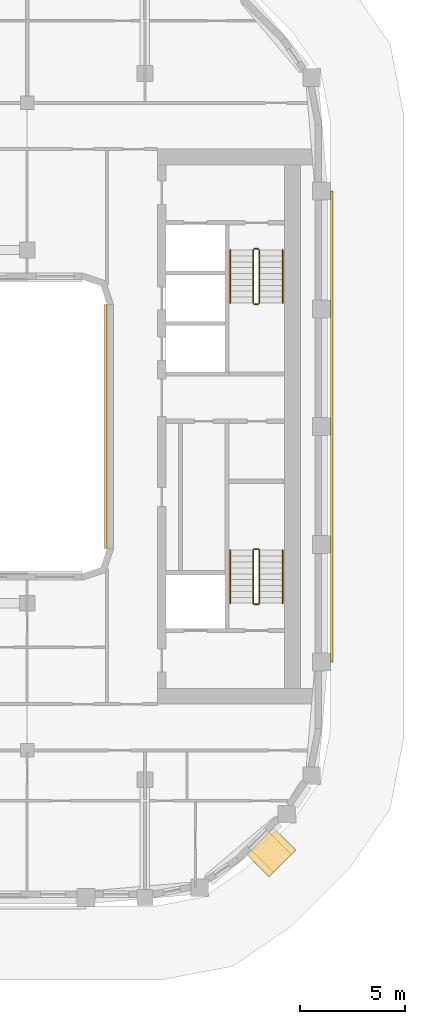
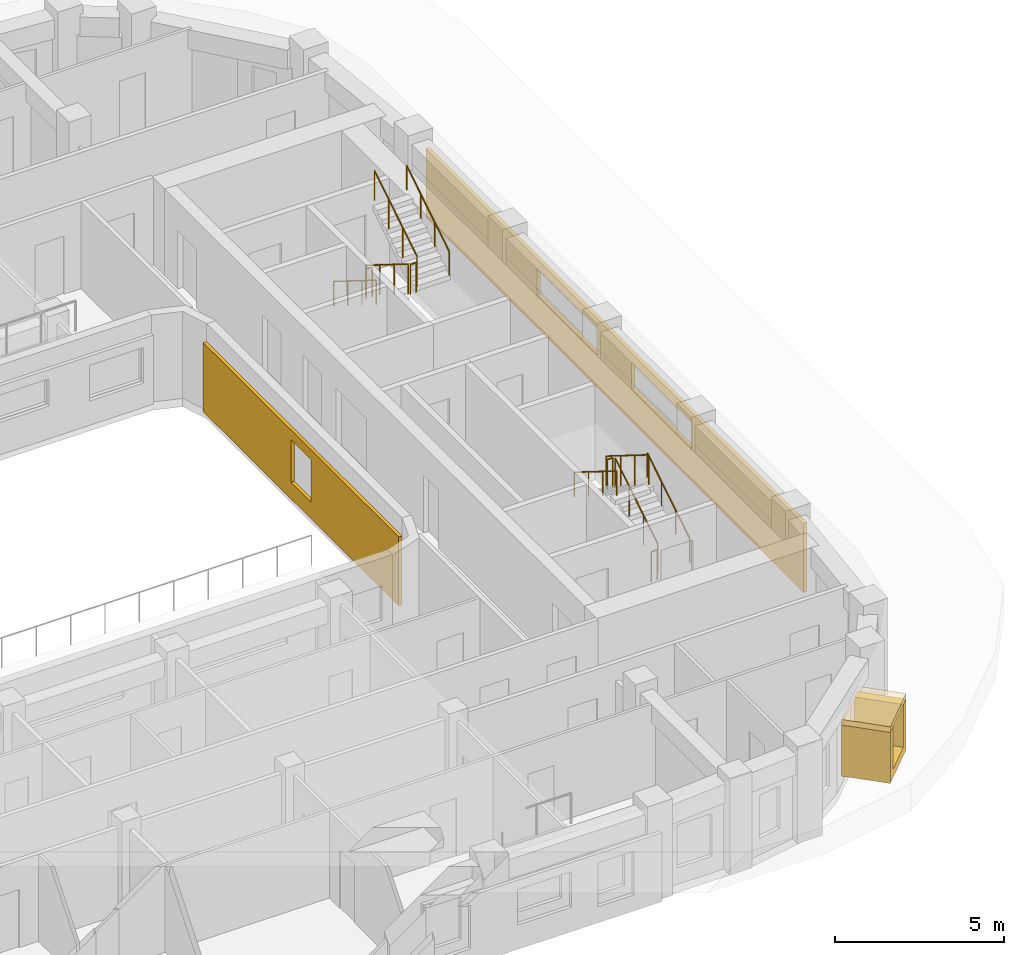
# One storey, part 14 of 16: 12 railings, 4 coverings.
"""IFC4 building model written with IfcOpenShell, lengths in metres."""

from ifc_helpers import new_model, si_unit, direction, frame, origin, origin_2d, place, context, subcontext, project, spatial, polyline, rectangle, circle, outline, extrude, material, layer, layer_set, type_object, element, save


model = new_model("IFC4")

# Units and contexts
model_context = context("Model", 3, precision=1e-05, world=origin(), true_north=direction((0.0, 1.0)))
body_context = subcontext(model_context, "Body", "Model", "MODEL_VIEW")
ifc_project = project(units=[si_unit("LENGTHUNIT", "METRE"), si_unit("AREAUNIT", "SQUARE_METRE"), si_unit("VOLUMEUNIT", "CUBIC_METRE"), si_unit("PLANEANGLEUNIT", "RADIAN"), si_unit("MASSUNIT", "GRAM", prefix="KILO")], contexts=[model_context])

# Site, building, storey
site_placement = place(None, origin())
site = spatial("IfcSite", under=ifc_project, at=site_placement, CompositionType="ELEMENT")
building_placement = place(site_placement, origin())
building = spatial("IfcBuilding", under=site, at=building_placement, Name="Kiln Ring Residences", CompositionType="ELEMENT")
storey_placement = place(building_placement, frame((0.0, 0.0, 227.39990234375)))
storey = spatial("IfcBuildingStorey", under=building, at=storey_placement, Name="L59", CompositionType="ELEMENT", Elevation=227.39990234375)

# Railings
ifc_material_1 = material(Name="Stainless steel", Category="steel")
railing_type_1 = type_object("IfcRailingType", Name="CORE-STAIR-GUARD", PredefinedType="GUARDRAIL", material=ifc_material_1)
railing_1_placement = place(storey_placement, frame((21.949951171875, 8.39990234375, 0.175048828125)))
element("IfcRailing", 1, at=railing_1_placement, inside=storey, type_object=railing_type_1, Name="L59 E-STN stair guard 1", PredefinedType="GUARDRAIL", context=body_context, shape_type="SweptSolid", body=[
    extrude(circle(Radius=0.02392578125, at=origin_2d()), frame((0.0, 0.0, 1.076171875), z_axis=(0.0, -0.848007534815, 0.529984170421), x_axis=(1.0, 0.0, 0.0)), (0.0, 0.0, 1.0), 2.9716796875),
    extrude(circle(Radius=0.02099609375, at=origin_2d()), origin(), (0.0, 0.0, 1.0), 1.052001953125),
    extrude(circle(Radius=0.02099609375, at=origin_2d()), frame((0.0, -0.840087890625, 0.52490234375)), (0.0, 0.0, 1.0), 1.052001953125),
    extrude(circle(Radius=0.02099609375, at=origin_2d()), frame((0.0, -1.679931640625, 1.050048828125)), (0.0, 0.0, 1.0), 1.052001953125),
    extrude(circle(Radius=0.02099609375, at=origin_2d()), frame((0.0, -2.52001953125, 1.574951171875)), (0.0, 0.0, 1.0), 1.052001953125),
])
railing_2_placement = place(storey_placement, frame((22.0, 5.830078125, 1.75)))
element("IfcRailing", 2, at=railing_2_placement, inside=storey, type_object=railing_type_1, Name="L59 E-STN stair guard 2", PredefinedType="GUARDRAIL", context=body_context, shape_type="SweptSolid", body=[
    extrude(circle(Radius=0.02392578125, at=origin_2d()), frame((0.0, 0.0, 1.076171875), z_axis=(1.0, 0.0, 0.0), x_axis=(0.0, 1.0, 0.0)), (0.0, 0.0, 1.0), 0.199951171875),
    extrude(circle(Radius=0.02099609375, at=origin_2d()), origin(), (0.0, 0.0, 1.0), 1.052001953125),
    extrude(circle(Radius=0.02099609375, at=origin_2d()), frame((0.199951171875, 0.0, 0.0)), (0.0, 0.0, 1.0), 1.052001953125),
])
railing_3_placement = place(storey_placement, frame((22.25, 5.8798828125, 1.925048828125)))
element("IfcRailing", 3, at=railing_3_placement, inside=storey, type_object=railing_type_1, Name="L59 E-STN stair guard 3", PredefinedType="GUARDRAIL", context=body_context, shape_type="SweptSolid", body=[
    extrude(circle(Radius=0.02392578125, at=origin_2d()), frame((0.0, 0.0, 1.076171875), z_axis=(0.0, 0.848007534815, 0.529984170421), x_axis=(-1.0, 0.0, 0.0)), (0.0, 0.0, 1.0), 2.9716796875),
    extrude(circle(Radius=0.02099609375, at=origin_2d()), origin(), (0.0, 0.0, 1.0), 1.052001953125),
    extrude(circle(Radius=0.02099609375, at=origin_2d()), frame((0.0, 0.840087890625, 0.52490234375)), (0.0, 0.0, 1.0), 1.052001953125),
    extrude(circle(Radius=0.02099609375, at=origin_2d()), frame((0.0, 1.679931640625, 1.050048828125)), (0.0, 0.0, 1.0), 1.052001953125),
    extrude(circle(Radius=0.02099609375, at=origin_2d()), frame((0.0, 2.52001953125, 1.574951171875)), (0.0, 0.0, 1.0), 1.052001953125),
])
railing_4_placement = place(storey_placement, frame((22.0, 8.449951171875, 0.0)))
element("IfcRailing", 4, at=railing_4_placement, inside=storey, type_object=railing_type_1, Name="L59 E-STN stair guard 4", PredefinedType="GUARDRAIL", context=body_context, shape_type="SweptSolid", body=[
    extrude(circle(Radius=0.02392578125, at=origin_2d()), frame((0.0, 0.0, 1.076171875), z_axis=(1.0, 0.0, 0.0), x_axis=(0.0, 1.0, 0.0)), (0.0, 0.0, 1.0), 0.199951171875),
    extrude(circle(Radius=0.02099609375, at=origin_2d()), origin(), (0.0, 0.0, 1.0), 1.052001953125),
    extrude(circle(Radius=0.02099609375, at=origin_2d()), frame((0.199951171875, 0.0, 0.0)), (0.0, 0.0, 1.0), 1.052001953125),
])
railing_5_placement = place(storey_placement, frame((22.25, -8.39990234375, 0.175048828125)))
element("IfcRailing", 5, at=railing_5_placement, inside=storey, type_object=railing_type_1, Name="L59 E-STS stair guard 1", PredefinedType="GUARDRAIL", context=body_context, shape_type="SweptSolid", body=[
    extrude(circle(Radius=0.02392578125, at=origin_2d()), frame((0.0, 0.0, 1.076171875), z_axis=(0.0, 0.848007534815, 0.529984170421), x_axis=(-1.0, 0.0, 0.0)), (0.0, 0.0, 1.0), 2.9716796875),
    extrude(circle(Radius=0.02099609375, at=origin_2d()), origin(), (0.0, 0.0, 1.0), 1.052001953125),
    extrude(circle(Radius=0.02099609375, at=origin_2d()), frame((0.0, 0.840087890625, 0.52490234375)), (0.0, 0.0, 1.0), 1.052001953125),
    extrude(circle(Radius=0.02099609375, at=origin_2d()), frame((0.0, 1.679931640625, 1.050048828125)), (0.0, 0.0, 1.0), 1.052001953125),
    extrude(circle(Radius=0.02099609375, at=origin_2d()), frame((0.0, 2.52001953125, 1.574951171875)), (0.0, 0.0, 1.0), 1.052001953125),
])
railing_6_placement = place(storey_placement, frame((22.199951171875, -5.830078125, 1.75)))
element("IfcRailing", 6, at=railing_6_placement, inside=storey, type_object=railing_type_1, Name="L59 E-STS stair guard 2", PredefinedType="GUARDRAIL", context=body_context, shape_type="SweptSolid", body=[
    extrude(circle(Radius=0.02392578125, at=origin_2d()), frame((0.0, 0.0, 1.076171875), z_axis=(-1.0, 0.0, 0.0), x_axis=(0.0, -1.0, 0.0)), (0.0, 0.0, 1.0), 0.199951171875),
    extrude(circle(Radius=0.02099609375, at=origin_2d()), origin(), (0.0, 0.0, 1.0), 1.052001953125),
    extrude(circle(Radius=0.02099609375, at=origin_2d()), frame((-0.199951171875, 0.0, 0.0)), (0.0, 0.0, 1.0), 1.052001953125),
])
railing_7_placement = place(storey_placement, frame((21.949951171875, -5.8798828125, 1.925048828125)))
element("IfcRailing", 7, at=railing_7_placement, inside=storey, type_object=railing_type_1, Name="L59 E-STS stair guard 3", PredefinedType="GUARDRAIL", context=body_context, shape_type="SweptSolid", body=[
    extrude(circle(Radius=0.02392578125, at=origin_2d()), frame((0.0, 0.0, 1.076171875), z_axis=(0.0, -0.848007534815, 0.529984170421), x_axis=(1.0, 0.0, 0.0)), (0.0, 0.0, 1.0), 2.9716796875),
    extrude(circle(Radius=0.02099609375, at=origin_2d()), origin(), (0.0, 0.0, 1.0), 1.052001953125),
    extrude(circle(Radius=0.02099609375, at=origin_2d()), frame((0.0, -0.840087890625, 0.52490234375)), (0.0, 0.0, 1.0), 1.052001953125),
    extrude(circle(Radius=0.02099609375, at=origin_2d()), frame((0.0, -1.679931640625, 1.050048828125)), (0.0, 0.0, 1.0), 1.052001953125),
    extrude(circle(Radius=0.02099609375, at=origin_2d()), frame((0.0, -2.52001953125, 1.574951171875)), (0.0, 0.0, 1.0), 1.052001953125),
])
railing_8_placement = place(storey_placement, frame((22.199951171875, -8.449951171875, 0.0)))
element("IfcRailing", 8, at=railing_8_placement, inside=storey, type_object=railing_type_1, Name="L59 E-STS stair guard 4", PredefinedType="GUARDRAIL", context=body_context, shape_type="SweptSolid", body=[
    extrude(circle(Radius=0.02392578125, at=origin_2d()), frame((0.0, 0.0, 1.076171875), z_axis=(-1.0, 0.0, 0.0), x_axis=(0.0, -1.0, 0.0)), (0.0, 0.0, 1.0), 0.199951171875),
    extrude(circle(Radius=0.02099609375, at=origin_2d()), origin(), (0.0, 0.0, 1.0), 1.052001953125),
    extrude(circle(Radius=0.02099609375, at=origin_2d()), frame((-0.199951171875, 0.0, 0.0)), (0.0, 0.0, 1.0), 1.052001953125),
])
ifc_material_2 = material(Name="Stainless steel", Category="steel")
railing_type_2 = type_object("IfcRailingType", Name="CORE-STAIR-HANDRAIL", PredefinedType="HANDRAIL", material=ifc_material_2)
railing_9_placement = place(storey_placement, frame((20.85009765625, 8.39990234375, 0.175048828125)))
element("IfcRailing", 9, at=railing_9_placement, inside=storey, type_object=railing_type_2, Name="L59 E-STN stair handrail 1", PredefinedType="HANDRAIL", context=body_context, shape_type="SweptSolid", body=[
    extrude(circle(Radius=0.02392578125, at=origin_2d()), frame((0.0, 0.0, 0.8759765625), z_axis=(0.0, -0.848007534815, 0.529984170421), x_axis=(1.0, 0.0, 0.0)), (0.0, 0.0, 1.0), 2.9716796875),
    extrude(circle(Radius=0.02099609375, at=origin_2d()), origin(), (0.0, 0.0, 1.0), 0.851806640625),
    extrude(circle(Radius=0.02099609375, at=origin_2d()), frame((0.0, -0.840087890625, 0.52490234375)), (0.0, 0.0, 1.0), 0.851806640625),
    extrude(circle(Radius=0.02099609375, at=origin_2d()), frame((0.0, -1.679931640625, 1.050048828125)), (0.0, 0.0, 1.0), 0.851806640625),
    extrude(circle(Radius=0.02099609375, at=origin_2d()), frame((0.0, -2.52001953125, 1.574951171875)), (0.0, 0.0, 1.0), 0.851806640625),
])
for number, where, name in (
    (10, (23.35009765625, 5.8798828125, 1.925048828125), "L59 E-STN stair handrail 2"),
    (11, (23.35009765625, -8.39990234375, 0.175048828125), "L59 E-STS stair handrail 1"),
):
    element("IfcRailing", number, at=place(storey_placement, frame(where)), inside=storey, type_object=railing_type_2, Name=name, PredefinedType="HANDRAIL", context=body_context, shape_type="SweptSolid", body=[
        extrude(circle(Radius=0.02392578125, at=origin_2d()), frame((0.0, 0.0, 0.8759765625), z_axis=(0.0, 0.848007534815, 0.529984170421), x_axis=(-1.0, 0.0, 0.0)), (0.0, 0.0, 1.0), 2.9716796875),
        extrude(circle(Radius=0.02099609375, at=origin_2d()), origin(), (0.0, 0.0, 1.0), 0.851806640625),
        extrude(circle(Radius=0.02099609375, at=origin_2d()), frame((0.0, 0.840087890625, 0.52490234375)), (0.0, 0.0, 1.0), 0.851806640625),
        extrude(circle(Radius=0.02099609375, at=origin_2d()), frame((0.0, 1.679931640625, 1.050048828125)), (0.0, 0.0, 1.0), 0.851806640625),
        extrude(circle(Radius=0.02099609375, at=origin_2d()), frame((0.0, 2.52001953125, 1.574951171875)), (0.0, 0.0, 1.0), 0.851806640625),
    ])
railing_10_placement = place(storey_placement, frame((20.85009765625, -5.8798828125, 1.925048828125)))
element("IfcRailing", 12, at=railing_10_placement, inside=storey, type_object=railing_type_2, Name="L59 E-STS stair handrail 2", PredefinedType="HANDRAIL", context=body_context, shape_type="SweptSolid", body=[
    extrude(circle(Radius=0.02392578125, at=origin_2d()), frame((0.0, 0.0, 0.8759765625), z_axis=(0.0, -0.848007534815, 0.529984170421), x_axis=(1.0, 0.0, 0.0)), (0.0, 0.0, 1.0), 2.9716796875),
    extrude(circle(Radius=0.02099609375, at=origin_2d()), origin(), (0.0, 0.0, 1.0), 0.851806640625),
    extrude(circle(Radius=0.02099609375, at=origin_2d()), frame((0.0, -0.840087890625, 0.52490234375)), (0.0, 0.0, 1.0), 0.851806640625),
    extrude(circle(Radius=0.02099609375, at=origin_2d()), frame((0.0, -1.679931640625, 1.050048828125)), (0.0, 0.0, 1.0), 0.851806640625),
    extrude(circle(Radius=0.02099609375, at=origin_2d()), frame((0.0, -2.52001953125, 1.574951171875)), (0.0, 0.0, 1.0), 0.851806640625),
])

# Coverings
ifc_material_3 = material(Name="Brick masonry, dark clay brick", Category="masonry")
ifc_layer_1 = layer(ifc_material_3, 0.300048828125)
ifc_layer_set_1 = layer_set([ifc_layer_1], Name="FRAME CHEEKS AND SILL 1500")
covering_type_1 = type_object("IfcCoveringType", Name="FRAME CHEEKS AND SILL 1500", PredefinedType="CLADDING", material=ifc_layer_set_1)
covering_1_placement = place(storey_placement, frame((22.172119140625, -20.888671875, 0.300048828125), z_axis=(0.0, 0.0, 1.0), x_axis=(0.707038962956, 0.707174592913, 0.0)))
element("IfcCovering", 13, at=covering_1_placement, inside=storey, type_object=covering_type_1, Name="FRAME L59", PredefinedType="CLADDING", context=body_context, shape_type="SweptSolid", body=[
    extrude(outline(polyline([(0.0, 0.0), (1.800048828125, 0.0), (1.800048828125, 1.85009765625), (1.5009765625, 1.85009765625), (1.5, 0.300048828125), (0.300048828125, 0.300048828125), (0.299072265625, 1.85009765625), (0.0, 1.85009765625), (0.0, 0.0)])), frame((0.0, 0.75, 0.0), z_axis=(0.0, -1.0, 0.0), x_axis=(1.0, 0.0, 0.0)), (0.0, 0.0, 1.0), 1.5),
])
ifc_material_4 = material(Name="Brick masonry, dark clay brick", Category="masonry")
ifc_layer_2 = layer(ifc_material_4, 0.199951171875)
ifc_layer_set_2 = layer_set([ifc_layer_2], Name="FRAME HEAD 1500")
covering_type_2 = type_object("IfcCoveringType", Name="FRAME HEAD 1500", PredefinedType="CLADDING", material=ifc_layer_set_2)
covering_2_placement = place(storey_placement, frame((22.80859375, -20.252197265625, 2.14990234375), z_axis=(0.0, 0.0, 1.0), x_axis=(0.707106781187, 0.707106781187, 0.0)))
element("IfcCovering", 14, at=covering_2_placement, inside=storey, type_object=covering_type_2, Name="FRAME HEAD L59", PredefinedType="CLADDING", context=body_context, shape_type="SweptSolid", body=[
    extrude(rectangle(XDim=1.800048828125, YDim=1.5, at=origin_2d()), origin(), (0.0, 0.0, 1.0), 0.199951171875),
])
ifc_material_5 = material(Name="Brick masonry, dark clay brick", Category="masonry")
ifc_layer_3 = layer(ifc_material_5, 0.1201171875)
ifc_layer_set_3 = layer_set([ifc_layer_3], Name="RAINSCREEN PANEL 120")
covering_type_3 = type_object("IfcCoveringType", Name="RAINSCREEN PANEL 120", PredefinedType="CLADDING", material=ifc_layer_set_3)
covering_3_placement = place(storey_placement, frame((25.68505859375, -11.199951171875, 0.0), z_axis=(0.0, 0.0, 1.0), x_axis=(0.0, 1.0, 0.0)))
element("IfcCovering", 15, at=covering_3_placement, inside=storey, type_object=covering_type_3, Name="RAINSCREEN L59", PredefinedType="CLADDING", context=body_context, shape_type="SweptSolid", body=[
    extrude(outline(polyline([(0.0, 0.0), (22.39990234375, 0.0), (22.39990234375, 2.5), (0.0, 2.5), (0.0, 0.0)]), holes=[polyline([(10.199951171875, 2.150146484375), (6.60009765625, 2.150146484375), (6.60009765625, 1.2001953125), (10.199951171875, 1.2001953125), (10.199951171875, 2.150146484375)]), polyline([(15.800048828125, 2.150146484375), (12.199951171875, 2.150146484375), (12.199951171875, 1.2001953125), (15.800048828125, 1.2001953125), (15.800048828125, 2.150146484375)])]), frame((0.0, 0.06005859375, 0.0), z_axis=(0.0, -1.0, 0.0), x_axis=(1.0, 0.0, 0.0)), (0.0, 0.0, 1.0), 0.1201171875),
])
covering_4_placement = place(storey_placement, frame((14.93994140625, 5.800048828125, 0.0), z_axis=(0.0, 0.0, 1.0), x_axis=(0.0, -1.0, 0.0)))
element("IfcCovering", 16, at=covering_4_placement, inside=storey, type_object=covering_type_3, Name="RAINSCREEN L59", PredefinedType="CLADDING", context=body_context, shape_type="SweptSolid", body=[
    extrude(outline(polyline([(0.0, 0.0), (11.60009765625, 0.0), (11.60009765625, 2.5), (0.0, 2.5), (0.0, 0.0)]), holes=[polyline([(5.199951171875, 2.150146484375), (5.199951171875, 0.60009765625), (6.39990234375, 0.60009765625), (6.39990234375, 2.150146484375), (5.199951171875, 2.150146484375)])]), frame((0.0, 0.06005859375, 0.0), z_axis=(0.0, -1.0, 0.0), x_axis=(1.0, 0.0, 0.0)), (0.0, 0.0, 1.0), 0.1201171875),
])

save(model, "model.ifc")
